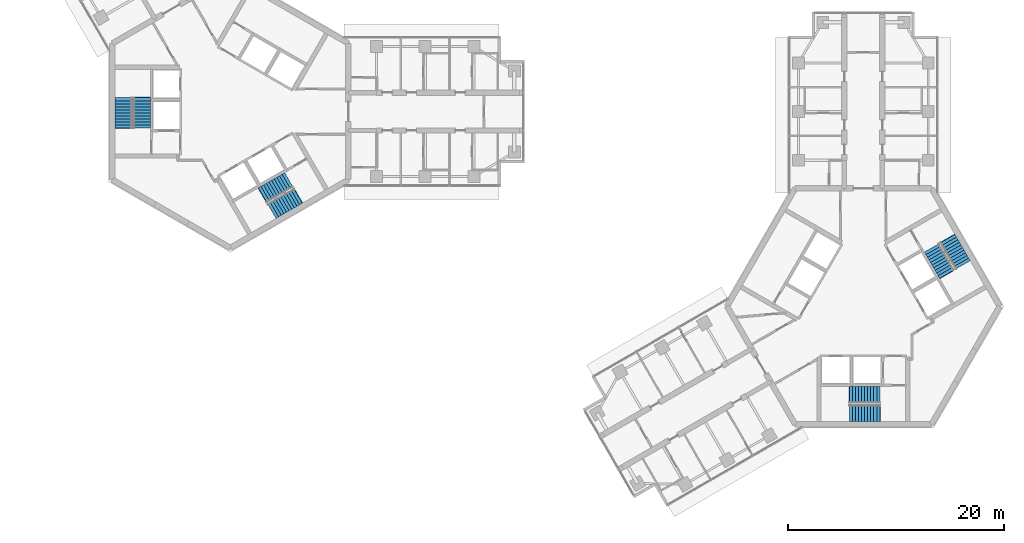
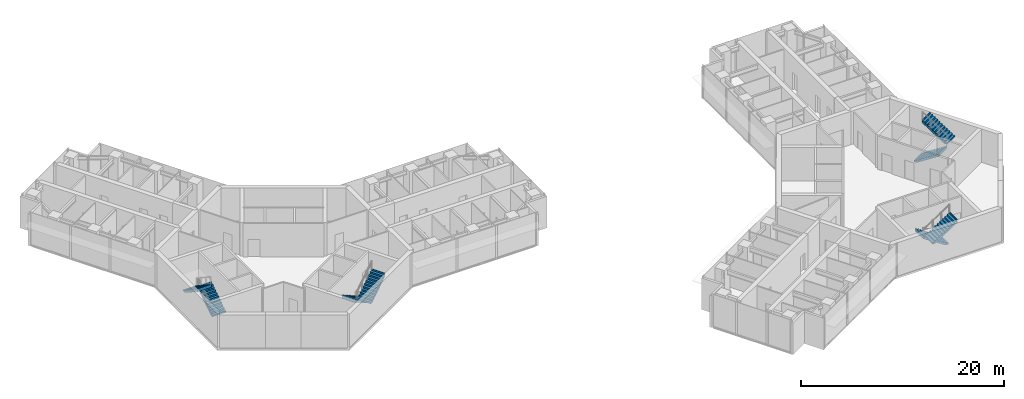
# One storey, part 16 of 17: 8 stair flights, 4 elements without a shape of their own.
"""IFC4 building model written with IfcOpenShell, lengths in metres."""

import ifcopenshell
import ifcopenshell.guid

model = None  # the IFC model being written
_history = None  # IfcOwnerHistory: only IFC2X3 demands one
_inside = {}  # id of a spatial element -> (the spatial element, [elements in it])
_under = {}  # id of a project, library or spatial element -> (it, [spatial elements below it])
_declared = {}  # id of a project -> (the project, [libraries it declares])
_typed = {}  # id of a type object -> (the type object, [elements of that type])
_made_of = {}  # id of a material, layer set ... -> (it, [elements and type objects made of it])


def new_model(schema):
    """Start an empty IFC model of exactly this schema.

    Asked for "IFC4X3", IfcOpenShell would pick the latest addendum, in which some entities
    have other attributes; the version numbers below select the first issue.
    IFC2X3 requires an IfcOwnerHistory on every rooted entity: one is made here for all.
    """
    global model, _history
    if schema == "IFC4X3":
        model = ifcopenshell.file(schema_version=(4, 3, 0, 0))
    else:
        model = ifcopenshell.file(schema=schema)
    _inside.clear()
    _under.clear()
    _declared.clear()
    _typed.clear()
    _made_of.clear()
    _history = None
    if model.schema == "IFC2X3":
        org = make("IfcOrganization", Name="unknown")
        user = make(
            "IfcPersonAndOrganization",
            ThePerson=make("IfcPerson", FamilyName="unknown"),
            TheOrganization=org,
        )
        app = make(
            "IfcApplication",
            ApplicationDeveloper=org,
            Version="unknown",
            ApplicationFullName="unknown",
            ApplicationIdentifier="unknown",
        )
        _history = make(
            "IfcOwnerHistory",
            OwningUser=user,
            OwningApplication=app,
            ChangeAction="ADDED",
            CreationDate=0,
        )
    return model


def make(cls, **values):
    """One entity of the class cls with the attributes given. An attribute that is None is left unset."""
    return model.create_entity(
        cls, **{name: value for name, value in values.items() if value is not None}
    )


def rooted(cls, **values):
    """An entity with a GlobalId (a new one), such as an element, a storey or a relation."""
    return make(cls, GlobalId=ifcopenshell.guid.new(), OwnerHistory=_history, **values)


def si_unit(unit_type, name, prefix=None):
    """IfcSIUnit, for example si_unit("LENGTHUNIT", "METRE", prefix="MILLI")."""
    return make("IfcSIUnit", UnitType=unit_type, Prefix=prefix, Name=name)


def assignment(units):
    """IfcUnitAssignment: the units of a project."""
    return None if units is None else make("IfcUnitAssignment", Units=units)


def point(xyz):
    """IfcCartesianPoint."""
    return None if xyz is None else make("IfcCartesianPoint", Coordinates=xyz)


def direction(xyz):
    """IfcDirection."""
    return None if xyz is None else make("IfcDirection", DirectionRatios=xyz)


def frame(location, z_axis=None, x_axis=None):
    """IfcAxis2Placement3D, a coordinate frame: its origin and axes. An axis left out is left unset."""
    return make(
        "IfcAxis2Placement3D",
        Location=point(location),
        Axis=direction(z_axis),
        RefDirection=direction(x_axis),
    )


def origin():
    """The frame at (0, 0, 0) with its axes left unset."""
    return frame((0.0, 0.0, 0.0))


def place(relative_to, where):
    """IfcLocalPlacement: puts the frame where relative to a parent placement (None: the world)."""
    return make(
        "IfcLocalPlacement", PlacementRelTo=relative_to, RelativePlacement=where
    )


def context(
    kind, dimensions, precision=None, world=None, true_north=None, identifier=None
):
    """IfcGeometricRepresentationContext, for example the 3D "Model" context."""
    return make(
        "IfcGeometricRepresentationContext",
        ContextIdentifier=identifier,
        ContextType=kind,
        CoordinateSpaceDimension=dimensions,
        Precision=precision,
        WorldCoordinateSystem=world,
        TrueNorth=true_north,
    )


def subcontext(parent, identifier, kind, view, scale=None):
    """IfcGeometricRepresentationSubContext, for example "Body" below "Model"."""
    return make(
        "IfcGeometricRepresentationSubContext",
        ContextIdentifier=identifier,
        ContextType=kind,
        ParentContext=parent,
        TargetScale=scale,
        TargetView=view,
    )


def project(units=None, contexts=None):
    """IfcProject with its units and contexts."""
    return rooted(
        "IfcProject",
        Name="project",
        RepresentationContexts=contexts,
        UnitsInContext=assignment(units),
    )


def spatial(cls, under=None, at=None, **own):
    """A site, building, storey or space (cls), placed at a placement, below another one or the project."""
    s = rooted(cls, ObjectPlacement=at, **own)
    if under is not None:
        _under.setdefault(under.id(), (under, []))[1].append(s)
    return s


def polyline(points):
    """IfcPolyline through the points."""
    return make("IfcPolyline", Points=[point(p) for p in points])


def outline(outer, holes=None, kind="AREA"):
    """IfcArbitraryClosedProfileDef: a profile drawn as a closed curve; with holes, ...WithVoids."""
    if holes is None:
        return make("IfcArbitraryClosedProfileDef", ProfileType=kind, OuterCurve=outer)
    return make(
        "IfcArbitraryProfileDefWithVoids",
        ProfileType=kind,
        OuterCurve=outer,
        InnerCurves=holes,
    )


def extrude(swept, where, along, depth):
    """IfcExtrudedAreaSolid: the profile swept, set in the frame where, extruded along a direction by depth."""
    return make(
        "IfcExtrudedAreaSolid",
        SweptArea=swept,
        Position=where,
        ExtrudedDirection=direction(along),
        Depth=depth,
    )


def shape(context_of_items, identifier, shape_type, items):
    """IfcShapeRepresentation: the items that make up one representation, for example the "Body"."""
    return make(
        "IfcShapeRepresentation",
        ContextOfItems=context_of_items,
        RepresentationIdentifier=identifier,
        RepresentationType=shape_type,
        Items=items,
    )


def material(Name=None, Category=None):
    """IfcMaterial."""
    return make("IfcMaterial", Name=Name, Category=Category)


def made_of(thing, what):
    """Note that an element or type object is made of a material, layer set ...; save() writes the relation."""
    if what is not None:
        _made_of.setdefault(what.id(), (what, []))[1].append(thing)
    return thing


def type_object(cls, material=None, **own):
    """A type object (cls), such as IfcWallType, which elements share."""
    return made_of(rooted(cls, **own), material)


def element(
    cls,
    number,
    at=None,
    inside=None,
    cuts=None,
    type_object=None,
    material=None,
    context=None,
    identifier="Body",
    shape_type=None,
    held_by="IfcProductDefinitionShape",
    body=None,
    shapes=None,
    **own,
):
    """One element of the class cls, such as IfcWall. Its Tag is "e" and its number.

    at: its placement. inside: the storey or other place that contains it. cuts: it is an
    opening in that element (IfcRelVoidsElement). A single representation is given by context,
    identifier, shape_type and body (its items); several are given by shapes. held_by: the class
    of the entity that holds the representations. save() writes the other relations.
    """
    e = rooted(cls, Tag="e%d" % number, ObjectPlacement=at, **own)
    if body is not None:
        shapes = [shape(context, identifier, shape_type, body)]
    if shapes is not None:
        e.Representation = make(held_by, Representations=shapes)
    if inside is not None:
        _inside.setdefault(inside.id(), (inside, []))[1].append(e)
    if cuts is not None:
        rooted(
            "IfcRelVoidsElement", RelatingBuildingElement=cuts, RelatedOpeningElement=e
        )
    if type_object is not None:
        _typed.setdefault(type_object.id(), (type_object, []))[1].append(e)
    return made_of(e, material)


def aggregate(whole, parts):
    """IfcRelAggregates: a whole, such as a stair, and the parts it consists of."""
    return rooted("IfcRelAggregates", RelatingObject=whole, RelatedObjects=parts)


def save(model, path):
    """Write the relations noted so far, then the file.

    IfcRelAggregates (storeys below a building ...), IfcRelContainedInSpatialStructure (elements
    in a storey), IfcRelDefinesByType, IfcRelAssociatesMaterial and IfcRelDeclares: one each for
    every whole, place, type object, material and project.
    """
    for whole, parts in _under.values():
        aggregate(whole, parts)
    for where, things in _inside.values():
        rooted(
            "IfcRelContainedInSpatialStructure",
            RelatedElements=things,
            RelatingStructure=where,
        )
    for kind, things in _typed.values():
        rooted("IfcRelDefinesByType", RelatedObjects=things, RelatingType=kind)
    for what, things in _made_of.values():
        rooted("IfcRelAssociatesMaterial", RelatedObjects=things, RelatingMaterial=what)
    for by, libraries in _declared.values():
        rooted("IfcRelDeclares", RelatingContext=by, RelatedDefinitions=libraries)
    model.write(path)


model = new_model("IFC4")

# Units and contexts
model_context = context("Model", 3, precision=1e-05, world=origin(), true_north=direction((0.0, 1.0)))
body_context = subcontext(model_context, "Body", "Model", "MODEL_VIEW")
ifc_project = project(units=[si_unit("LENGTHUNIT", "METRE"), si_unit("AREAUNIT", "SQUARE_METRE"), si_unit("VOLUMEUNIT", "CUBIC_METRE"), si_unit("PLANEANGLEUNIT", "RADIAN"), si_unit("MASSUNIT", "GRAM", prefix="KILO")], contexts=[model_context])

# Site, building, storey
site_placement = place(None, origin())
site = spatial("IfcSite", under=ifc_project, at=site_placement, CompositionType="ELEMENT")
building_placement = place(site_placement, origin())
building = spatial("IfcBuilding", under=site, at=building_placement, Name="Upepo Twin Towers", CompositionType="ELEMENT")
storey_placement = place(building_placement, frame((0.0, 0.0, 230.5)))
storey = spatial("IfcBuildingStorey", under=building, at=storey_placement, Name="L56", CompositionType="ELEMENT", Elevation=230.5)

# Stair, stair flights
ifc_material_1 = material(Name="Concrete C40/50", Category="concrete")
stair_type = type_object("IfcStairType", Name="Core stair, two flights", PredefinedType="HALF_TURN_STAIR", material=ifc_material_1)
stair_1_placement = place(storey_placement, origin())
stair_1 = element("IfcStair", 1, at=stair_1_placement, inside=storey, type_object=stair_type, Name="T1 stair S1 L56", PredefinedType="HALF_TURN_STAIR")
ifc_material_2 = material(Name="Concrete C40/50", Category="concrete")
stair_flight_type = type_object("IfcStairFlightType", Name="Stair flight 1550 RC", PredefinedType="STRAIGHT", material=ifc_material_2)
stair_flight_1_placement = place(storey_placement, frame((-8.175048828125, -1.52001953125, 0.0), z_axis=(0.0, 0.0, 1.0), x_axis=(0.0, 1.0, 0.0)))
stair_flight_1 = element("IfcStairFlight", 2, at=stair_flight_1_placement, type_object=stair_flight_type, Name="Stair S1 flight 1", NumberOfRisers=11, NumberOfTreads=10, PredefinedType="STRAIGHT", RiserHeight=0.181818182, TreadLength=0.28, context=body_context, shape_type="SweptSolid", body=[
    extrude(outline(polyline([(0.0, 0.0), (0.0, 0.181884765625), (0.280029296875, 0.181884765625), (0.280029296875, 0.363525390625), (0.56005859375, 0.363525390625), (0.56005859375, 0.54541015625), (0.840087890625, 0.54541015625), (0.840087890625, 0.727294921875), (1.1201171875, 0.727294921875), (1.1201171875, 0.9091796875), (1.39990234375, 0.9091796875), (1.39990234375, 1.0908203125), (1.679931640625, 1.0908203125), (1.679931640625, 1.272705078125), (1.9599609375, 1.272705078125), (1.9599609375, 1.45458984375), (2.239990234375, 1.45458984375), (2.239990234375, 1.636474609375), (2.52001953125, 1.636474609375), (2.52001953125, 1.818115234375), (2.800048828125, 1.818115234375), (2.800048828125, 2.0), (2.85009765625, 2.0), (2.85009765625, 1.639404296875), (0.3251953125, 0.0), (0.0, 0.0)])), frame((0.0, 0.77490234375, 0.0), z_axis=(0.0, -1.0, 0.0), x_axis=(1.0, 0.0, 0.0)), (0.0, 0.0, 1.0), 1.550048828125),
])
stair_flight_2_placement = place(storey_placement, frame((-9.88330078125, 1.280029296875, 2.0), z_axis=(0.0, 0.0, 1.0), x_axis=(0.0, -1.0, 0.0)))
stair_flight_2 = element("IfcStairFlight", 3, at=stair_flight_2_placement, type_object=stair_flight_type, Name="Stair S1 flight 2", NumberOfRisers=11, NumberOfTreads=10, PredefinedType="STRAIGHT", RiserHeight=0.181818182, TreadLength=0.28, context=body_context, shape_type="SweptSolid", body=[
    extrude(outline(polyline([(0.0, 0.0), (0.0, 0.181884765625), (0.280029296875, 0.181884765625), (0.280029296875, 0.363525390625), (0.56005859375, 0.363525390625), (0.56005859375, 0.54541015625), (0.840087890625, 0.54541015625), (0.840087890625, 0.727294921875), (1.1201171875, 0.727294921875), (1.1201171875, 0.9091796875), (1.39990234375, 0.9091796875), (1.39990234375, 1.0908203125), (1.679931640625, 1.0908203125), (1.679931640625, 1.272705078125), (1.9599609375, 1.272705078125), (1.9599609375, 1.45458984375), (2.239990234375, 1.45458984375), (2.239990234375, 1.636474609375), (2.52001953125, 1.636474609375), (2.52001953125, 1.818115234375), (2.800048828125, 1.818115234375), (2.800048828125, 2.0), (2.85009765625, 2.0), (2.85009765625, 1.639404296875), (0.3251953125, 0.0), (0.0, 0.0)])), frame((0.0, 0.77490234375, 0.0), z_axis=(0.0, -1.0, 0.0), x_axis=(1.0, 0.0, 0.0)), (0.0, 0.0, 1.0), 1.550048828125),
])
aggregate(stair_1, [stair_flight_1, stair_flight_2])

stair_2_placement = place(storey_placement, origin())
stair_2 = element("IfcStair", 4, at=stair_2_placement, inside=storey, type_object=stair_type, Name="T1 stair S2 L56", PredefinedType="HALF_TURN_STAIR")
stair_flight_3_placement = place(storey_placement, frame((5.40380859375, -6.31982421875, 0.0), z_axis=(0.0, 0.0, 1.0), x_axis=(-0.866025403784, -0.5, 0.0)))
stair_flight_3 = element("IfcStairFlight", 5, at=stair_flight_3_placement, type_object=stair_flight_type, Name="Stair S2 flight 1", NumberOfRisers=11, NumberOfTreads=10, PredefinedType="STRAIGHT", RiserHeight=0.181818182, TreadLength=0.28, context=body_context, shape_type="SweptSolid", body=[
    extrude(outline(polyline([(0.0, 0.0), (0.0, 0.181884765625), (0.280029296875, 0.181884765625), (0.280029296875, 0.363525390625), (0.56005859375, 0.363525390625), (0.56005859375, 0.54541015625), (0.840087890625, 0.54541015625), (0.840087890625, 0.727294921875), (1.1201171875, 0.727294921875), (1.1201171875, 0.9091796875), (1.39990234375, 0.9091796875), (1.39990234375, 1.0908203125), (1.679931640625, 1.0908203125), (1.679931640625, 1.272705078125), (1.9599609375, 1.272705078125), (1.9599609375, 1.45458984375), (2.239990234375, 1.45458984375), (2.239990234375, 1.636474609375), (2.52001953125, 1.636474609375), (2.52001953125, 1.818115234375), (2.800048828125, 1.818115234375), (2.800048828125, 2.0), (2.85009765625, 2.0), (2.85009765625, 1.639404296875), (0.3251953125, 0.0), (0.0, 0.0)])), frame((0.0, 0.77490234375, 0.0), z_axis=(0.0, -1.0, 0.0), x_axis=(1.0, 0.0, 0.0)), (0.0, 0.0, 1.0), 1.550048828125),
])
stair_flight_4_placement = place(storey_placement, frame((3.833251953125, -9.19921875, 2.0), z_axis=(0.0, 0.0, 1.0), x_axis=(0.866025403784, 0.5, 0.0)))
stair_flight_4 = element("IfcStairFlight", 6, at=stair_flight_4_placement, type_object=stair_flight_type, Name="Stair S2 flight 2", NumberOfRisers=11, NumberOfTreads=10, PredefinedType="STRAIGHT", RiserHeight=0.181818182, TreadLength=0.28, context=body_context, shape_type="SweptSolid", body=[
    extrude(outline(polyline([(0.0, 0.0), (0.0, 0.181884765625), (0.280029296875, 0.181884765625), (0.280029296875, 0.363525390625), (0.56005859375, 0.363525390625), (0.56005859375, 0.54541015625), (0.840087890625, 0.54541015625), (0.840087890625, 0.727294921875), (1.1201171875, 0.727294921875), (1.1201171875, 0.9091796875), (1.39990234375, 0.9091796875), (1.39990234375, 1.0908203125), (1.679931640625, 1.0908203125), (1.679931640625, 1.272705078125), (1.9599609375, 1.272705078125), (1.9599609375, 1.45458984375), (2.239990234375, 1.45458984375), (2.239990234375, 1.636474609375), (2.52001953125, 1.636474609375), (2.52001953125, 1.818115234375), (2.800048828125, 1.818115234375), (2.800048828125, 2.0), (2.85009765625, 2.0), (2.85009765625, 1.639404296875), (0.3251953125, 0.0), (0.0, 0.0)])), frame((0.0, 0.77490234375, 0.0), z_axis=(0.0, -1.0, 0.0), x_axis=(1.0, 0.0, 0.0)), (0.0, 0.0, 1.0), 1.550048828125),
])
aggregate(stair_2, [stair_flight_3, stair_flight_4])

stair_3_placement = place(storey_placement, origin())
stair_3 = element("IfcStair", 7, at=stair_3_placement, inside=storey, type_object=stair_type, Name="T2 stair S1 L56", PredefinedType="HALF_TURN_STAIR")
stair_flight_5_placement = place(storey_placement, frame((60.02001953125, -26.175048828125, 0.0), z_axis=(0.0, 0.0, 1.0), x_axis=(-1.0, 0.0, 0.0)))
stair_flight_5 = element("IfcStairFlight", 8, at=stair_flight_5_placement, type_object=stair_flight_type, Name="Stair S1 flight 1", NumberOfRisers=11, NumberOfTreads=10, PredefinedType="STRAIGHT", RiserHeight=0.181818182, TreadLength=0.28, context=body_context, shape_type="SweptSolid", body=[
    extrude(outline(polyline([(0.0, 0.0), (0.0, 0.181884765625), (0.280029296875, 0.181884765625), (0.280029296875, 0.363525390625), (0.56005859375, 0.363525390625), (0.56005859375, 0.54541015625), (0.840087890625, 0.54541015625), (0.840087890625, 0.727294921875), (1.1201171875, 0.727294921875), (1.1201171875, 0.9091796875), (1.39990234375, 0.9091796875), (1.39990234375, 1.0908203125), (1.679931640625, 1.0908203125), (1.679931640625, 1.272705078125), (1.9599609375, 1.272705078125), (1.9599609375, 1.45458984375), (2.239990234375, 1.45458984375), (2.239990234375, 1.636474609375), (2.52001953125, 1.636474609375), (2.52001953125, 1.818115234375), (2.800048828125, 1.818115234375), (2.800048828125, 2.0), (2.85009765625, 2.0), (2.85009765625, 1.639404296875), (0.3251953125, 0.0), (0.0, 0.0)])), frame((0.0, 0.77490234375, 0.0), z_axis=(0.0, -1.0, 0.0), x_axis=(1.0, 0.0, 0.0)), (0.0, 0.0, 1.0), 1.550048828125),
])
stair_flight_6_placement = place(storey_placement, frame((57.219970703125, -27.88330078125, 2.0), z_axis=(0.0, 0.0, 1.0), x_axis=(1.0, 0.0, 0.0)))
stair_flight_6 = element("IfcStairFlight", 9, at=stair_flight_6_placement, type_object=stair_flight_type, Name="Stair S1 flight 2", NumberOfRisers=11, NumberOfTreads=10, PredefinedType="STRAIGHT", RiserHeight=0.181818182, TreadLength=0.28, context=body_context, shape_type="SweptSolid", body=[
    extrude(outline(polyline([(0.0, 0.0), (0.0, 0.181884765625), (0.280029296875, 0.181884765625), (0.280029296875, 0.363525390625), (0.56005859375, 0.363525390625), (0.56005859375, 0.54541015625), (0.840087890625, 0.54541015625), (0.840087890625, 0.727294921875), (1.1201171875, 0.727294921875), (1.1201171875, 0.9091796875), (1.39990234375, 0.9091796875), (1.39990234375, 1.0908203125), (1.679931640625, 1.0908203125), (1.679931640625, 1.272705078125), (1.9599609375, 1.272705078125), (1.9599609375, 1.45458984375), (2.239990234375, 1.45458984375), (2.239990234375, 1.636474609375), (2.52001953125, 1.636474609375), (2.52001953125, 1.818115234375), (2.800048828125, 1.818115234375), (2.800048828125, 2.0), (2.85009765625, 2.0), (2.85009765625, 1.639404296875), (0.3251953125, 0.0), (0.0, 0.0)])), frame((0.0, 0.77490234375, 0.0), z_axis=(0.0, -1.0, 0.0), x_axis=(1.0, 0.0, 0.0)), (0.0, 0.0, 1.0), 1.550048828125),
])
aggregate(stair_3, [stair_flight_5, stair_flight_6])

stair_4_placement = place(storey_placement, origin())
stair_4 = element("IfcStair", 10, at=stair_4_placement, inside=storey, type_object=stair_type, Name="T2 stair S2 L56", PredefinedType="HALF_TURN_STAIR")
stair_flight_7_placement = place(storey_placement, frame((64.81982421875, -12.59619140625, 0.0), z_axis=(0.0, 0.0, 1.0), x_axis=(0.5, -0.866025403784, 0.0)))
stair_flight_7 = element("IfcStairFlight", 11, at=stair_flight_7_placement, type_object=stair_flight_type, Name="Stair S2 flight 1", NumberOfRisers=11, NumberOfTreads=10, PredefinedType="STRAIGHT", RiserHeight=0.181818182, TreadLength=0.28, context=body_context, shape_type="SweptSolid", body=[
    extrude(outline(polyline([(0.0, 0.0), (0.0, 0.181884765625), (0.280029296875, 0.181884765625), (0.280029296875, 0.363525390625), (0.56005859375, 0.363525390625), (0.56005859375, 0.54541015625), (0.840087890625, 0.54541015625), (0.840087890625, 0.727294921875), (1.1201171875, 0.727294921875), (1.1201171875, 0.9091796875), (1.39990234375, 0.9091796875), (1.39990234375, 1.0908203125), (1.679931640625, 1.0908203125), (1.679931640625, 1.272705078125), (1.9599609375, 1.272705078125), (1.9599609375, 1.45458984375), (2.239990234375, 1.45458984375), (2.239990234375, 1.636474609375), (2.52001953125, 1.636474609375), (2.52001953125, 1.818115234375), (2.800048828125, 1.818115234375), (2.800048828125, 2.0), (2.85009765625, 2.0), (2.85009765625, 1.639404296875), (0.3251953125, 0.0), (0.0, 0.0)])), frame((0.0, 0.77490234375, 0.0), z_axis=(0.0, -1.0, 0.0), x_axis=(1.0, 0.0, 0.0)), (0.0, 0.0, 1.0), 1.550048828125),
])
stair_flight_8_placement = place(storey_placement, frame((67.69921875, -14.166748046875, 2.0), z_axis=(0.0, 0.0, 1.0), x_axis=(-0.5, 0.866025403784, 0.0)))
stair_flight_8 = element("IfcStairFlight", 12, at=stair_flight_8_placement, type_object=stair_flight_type, Name="Stair S2 flight 2", NumberOfRisers=11, NumberOfTreads=10, PredefinedType="STRAIGHT", RiserHeight=0.181818182, TreadLength=0.28, context=body_context, shape_type="SweptSolid", body=[
    extrude(outline(polyline([(0.0, 0.0), (0.0, 0.181884765625), (0.280029296875, 0.181884765625), (0.280029296875, 0.363525390625), (0.56005859375, 0.363525390625), (0.56005859375, 0.54541015625), (0.840087890625, 0.54541015625), (0.840087890625, 0.727294921875), (1.1201171875, 0.727294921875), (1.1201171875, 0.9091796875), (1.39990234375, 0.9091796875), (1.39990234375, 1.0908203125), (1.679931640625, 1.0908203125), (1.679931640625, 1.272705078125), (1.9599609375, 1.272705078125), (1.9599609375, 1.45458984375), (2.239990234375, 1.45458984375), (2.239990234375, 1.636474609375), (2.52001953125, 1.636474609375), (2.52001953125, 1.818115234375), (2.800048828125, 1.818115234375), (2.800048828125, 2.0), (2.85009765625, 2.0), (2.85009765625, 1.639404296875), (0.3251953125, 0.0), (0.0, 0.0)])), frame((0.0, 0.77490234375, 0.0), z_axis=(0.0, -1.0, 0.0), x_axis=(1.0, 0.0, 0.0)), (0.0, 0.0, 1.0), 1.550048828125),
])
aggregate(stair_4, [stair_flight_7, stair_flight_8])

save(model, "model.ifc")
